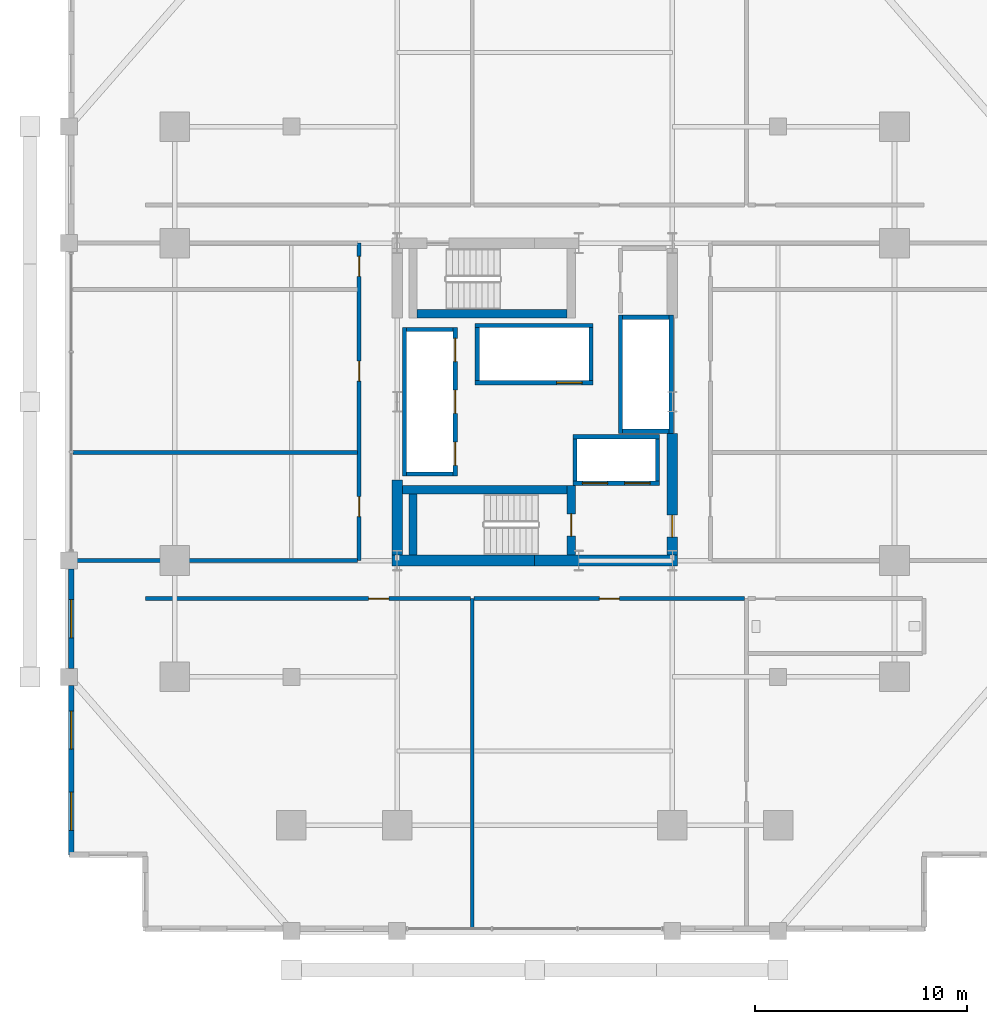
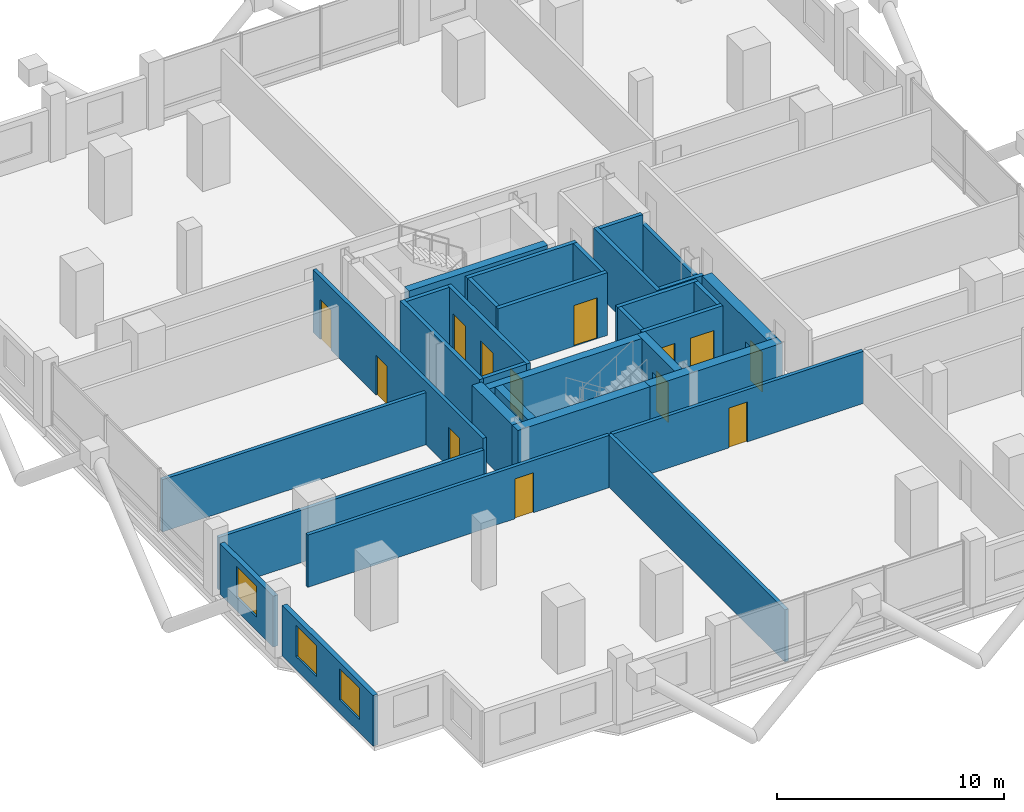
# One storey, part 17 of 21: 32 walls, 13 doors, 3 windows, 16 openings.
"""IFC4 building model written with IfcOpenShell, lengths in metres."""

from ifc_helpers import new_model, si_unit, direction, frame, frame_2d, origin, place, context, subcontext, project, spatial, rectangle, extrude, material, layer, layer_set, type_object, element, fill, save


model = new_model("IFC4")

# Units and contexts
model_context = context("Model", 3, precision=1e-05, world=origin(), true_north=direction((0.0, 1.0)))
body_context = subcontext(model_context, "Body", "Model", "MODEL_VIEW")
ifc_project = project(units=[si_unit("LENGTHUNIT", "METRE"), si_unit("AREAUNIT", "SQUARE_METRE"), si_unit("VOLUMEUNIT", "CUBIC_METRE"), si_unit("PLANEANGLEUNIT", "RADIAN"), si_unit("MASSUNIT", "GRAM", prefix="KILO")], contexts=[model_context])

# Site, building, storey
site_placement = place(None, origin())
site = spatial("IfcSite", under=ifc_project, at=site_placement, CompositionType="ELEMENT")
building_placement = place(site_placement, origin())
building = spatial("IfcBuilding", under=site, at=building_placement, Name="Barlavira Tower and Art Museum", CompositionType="ELEMENT")
storey_placement = place(building_placement, frame((0.0, 0.0, 79.199951171875)))
storey = spatial("IfcBuildingStorey", under=building, at=storey_placement, Name="L19", CompositionType="ELEMENT", Elevation=79.199951171875)

# Walls
ifc_material_1 = material(Name="Concrete C60", Category="concrete")
ifc_layer_1 = layer(ifc_material_1, 0.5, Name="Concrete C60")
ifc_layer_set_1 = layer_set([ifc_layer_1], Name="Concrete C60")
wall_type_1 = type_object("IfcWallType", Name="Core Structural Shear Wall 500 Concrete C60", PredefinedType="SHEAR", material=ifc_layer_set_1)
for number, where, z_axis, x_axis, name in (
    (1, (-6.75, -7.5, 0.0), (0.0, 0.0, 1.0), (1.0, 0.0, 0.0), "L19 Core Shear Wall CS-SW"),
    (2, (0.0, -7.5, 0.0), (0.0, 0.0, 1.0), (1.0, 0.0, 0.0), "L19 Core Shear Wall CS-SE"),
):
    element("IfcWall", number, at=place(storey_placement, frame(where, z_axis=z_axis, x_axis=x_axis)), inside=storey, type_object=wall_type_1, Name=name, PredefinedType="SHEAR", context=body_context, shape_type="SweptSolid", body=[
        extrude(rectangle(XDim=6.75, YDim=0.5, at=frame_2d((3.375, 0.0))), origin(), (0.0, 0.0, 1.0), 3.380126953125),
    ])
wall_1_placement = place(storey_placement, frame((-6.5, -7.25, 0.0), z_axis=(0.0, 0.0, 1.0), x_axis=(0.0, 1.0, 0.0)))
element("IfcWall", 3, at=wall_1_placement, inside=storey, type_object=wall_type_1, Name="L19 Core Shear Wall CS-W1", PredefinedType="SHEAR", context=body_context, shape_type="SweptSolid", body=[
    extrude(rectangle(XDim=3.550048828125, YDim=0.5, at=frame_2d((1.77490234375, 0.0))), origin(), (0.0, 0.0, 1.0), 3.380126953125),
])

# Wall, opening, door
wall_2_placement = place(storey_placement, frame((6.5, -7.25, 0.0), z_axis=(0.0, 0.0, 1.0), x_axis=(0.0, 1.0, 0.0)))
wall_2 = element("IfcWall", 4, at=wall_2_placement, inside=storey, type_object=wall_type_1, Name="L19 Core Shear Wall CS-E1", PredefinedType="SHEAR", context=body_context, shape_type="SweptSolid", body=[
    extrude(rectangle(XDim=5.75, YDim=0.5, at=frame_2d((2.875, 0.0))), origin(), (0.0, 0.0, 1.0), 3.380126953125),
])
opening_1_placement = place(wall_2_placement, frame((0.85009765625, 0.0, 0.0)))
opening_1 = element("IfcOpeningElement", 5, at=opening_1_placement, cuts=wall_2, Name="Opening FD-90", PredefinedType="OPENING", context=body_context, shape_type="SweptSolid", body=[
    extrude(rectangle(XDim=1.050048828125, YDim=2.14990234375, at=frame_2d((0.52490234375, 1.074951171875))), frame((0.0, 0.260009765625, 0.0), z_axis=(0.0, -1.0, 0.0), x_axis=(1.0, 0.0, 0.0)), (0.0, 0.0, 1.0), 0.52001953125),
])
ifc_material_2 = material(Name="Brushed stainless steel", Category="steel")
door_type_1 = type_object("IfcDoorType", Name="Stair and Refuge Fire Door 1050x2150 FD90S", OperationType="NOTDEFINED", PredefinedType="DOOR", material=ifc_material_2)
door_1_placement = place(opening_1_placement, origin())
door_1 = element("IfcDoor", 6, at=door_1_placement, inside=storey, type_object=door_type_1, Name="L19 Firefighting Lobby Entry Fire Door", OperationType="SINGLE_SWING_LEFT", OverallHeight=2.14990234375, OverallWidth=1.050048828125, PredefinedType="DOOR", context=body_context, shape_type="SweptSolid", body=[
    extrude(rectangle(XDim=1.050048828125, YDim=2.14990234375, at=frame_2d((0.52490234375, 1.074951171875))), frame((0.0, 0.02490234375, 0.0), z_axis=(0.0, -1.0, 0.0), x_axis=(1.0, 0.0, 0.0)), (0.0, 0.0, 1.0), 0.050048828125),
])
fill(opening_1, door_1)

# Wall, openings, doors
ifc_material_3 = material(Name="Autoclaved aerated concrete masonry", Category="masonry")
ifc_layer_2 = layer(ifc_material_3, 0.199951171875, Name="Autoclaved aerated concrete masonry")
ifc_layer_set_2 = layer_set([ifc_layer_2], Name="Autoclaved aerated concrete masonry")
wall_type_2 = type_object("IfcWallType", Name="Fire Compartment and Shaft Wall 200", PredefinedType="SOLIDWALL", material=ifc_layer_set_2)
wall_3_placement = place(storey_placement, frame((-3.75, -3.510009765625, 0.0), z_axis=(0.0, 0.0, 1.0), x_axis=(0.0, 1.0, 0.0)))
wall_3 = element("IfcWall", 7, at=wall_3_placement, inside=storey, type_object=wall_type_2, Name="L19 Low-Rise Lift Front Shaft Wall", PredefinedType="SOLIDWALL", context=body_context, shape_type="SweptSolid", body=[
    extrude(rectangle(XDim=7.02001953125, YDim=0.199951171875, at=frame_2d((3.510009765625, 0.0))), origin(), (0.0, 0.0, 1.0), 3.380126953125),
])
opening_2_placement = place(wall_3_placement, frame((0.510009765625, 0.0, 0.0)))
opening_2 = element("IfcOpeningElement", 8, at=opening_2_placement, cuts=wall_3, Name="Opening LD-P", PredefinedType="OPENING", context=body_context, shape_type="SweptSolid", body=[
    extrude(rectangle(XDim=1.10009765625, YDim=2.14990234375, at=frame_2d((0.550048828125, 1.074951171875))), frame((0.0, 0.10986328125, 0.0), z_axis=(0.0, -1.0, 0.0), x_axis=(1.0, 0.0, 0.0)), (0.0, 0.0, 1.0), 0.219970703125),
])
opening_3_placement = place(wall_3_placement, frame((2.9599609375, 0.0, 0.0)))
opening_3 = element("IfcOpeningElement", 9, at=opening_3_placement, cuts=wall_3, Name="Opening LD-P", PredefinedType="OPENING", context=body_context, shape_type="SweptSolid", body=[
    extrude(rectangle(XDim=1.10009765625, YDim=2.14990234375, at=frame_2d((0.550048828125, 1.074951171875))), frame((0.0, 0.10986328125, 0.0), z_axis=(0.0, -1.0, 0.0), x_axis=(1.0, 0.0, 0.0)), (0.0, 0.0, 1.0), 0.219970703125),
])
opening_4_placement = place(wall_3_placement, frame((5.409912109375, 0.0, 0.0)))
opening_4 = element("IfcOpeningElement", 10, at=opening_4_placement, cuts=wall_3, Name="Opening LD-P", PredefinedType="OPENING", context=body_context, shape_type="SweptSolid", body=[
    extrude(rectangle(XDim=1.10009765625, YDim=2.14990234375, at=frame_2d((0.550048828125, 1.074951171875))), frame((0.0, 0.10986328125, 0.0), z_axis=(0.0, -1.0, 0.0), x_axis=(1.0, 0.0, 0.0)), (0.0, 0.0, 1.0), 0.219970703125),
])
door_type_2 = type_object("IfcDoorType", Name="Passenger Lift Sliding Landing Door 1100x2150 FD60", OperationType="NOTDEFINED", PredefinedType="DOOR", material=ifc_material_2)
door_2_placement = place(opening_2_placement, origin())
door_2 = element("IfcDoor", 11, at=door_2_placement, inside=storey, type_object=door_type_2, Name="L19 Lift PL1 Sliding Landing Door", OperationType="DOUBLE_DOOR_SLIDING", OverallHeight=2.14990234375, OverallWidth=1.10009765625, PredefinedType="DOOR", context=body_context, shape_type="SweptSolid", body=[
    extrude(rectangle(XDim=1.10009765625, YDim=2.14990234375, at=frame_2d((0.550048828125, 1.074951171875))), frame((0.0, 0.02490234375, 0.0), z_axis=(0.0, -1.0, 0.0), x_axis=(1.0, 0.0, 0.0)), (0.0, 0.0, 1.0), 0.050048828125),
])
fill(opening_2, door_2)
door_3_placement = place(opening_3_placement, origin())
door_3 = element("IfcDoor", 12, at=door_3_placement, inside=storey, type_object=door_type_2, Name="L19 Lift PL2 Sliding Landing Door", OperationType="DOUBLE_DOOR_SLIDING", OverallHeight=2.14990234375, OverallWidth=1.10009765625, PredefinedType="DOOR", context=body_context, shape_type="SweptSolid", body=[
    extrude(rectangle(XDim=1.10009765625, YDim=2.14990234375, at=frame_2d((0.550048828125, 1.074951171875))), frame((0.0, 0.02490234375, 0.0), z_axis=(0.0, -1.0, 0.0), x_axis=(1.0, 0.0, 0.0)), (0.0, 0.0, 1.0), 0.050048828125),
])
fill(opening_3, door_3)
door_4_placement = place(opening_4_placement, origin())
door_4 = element("IfcDoor", 13, at=door_4_placement, inside=storey, type_object=door_type_2, Name="L19 Lift PL3 Sliding Landing Door", OperationType="DOUBLE_DOOR_SLIDING", OverallHeight=2.14990234375, OverallWidth=1.10009765625, PredefinedType="DOOR", context=body_context, shape_type="SweptSolid", body=[
    extrude(rectangle(XDim=1.10009765625, YDim=2.14990234375, at=frame_2d((0.550048828125, 1.074951171875))), frame((0.0, 0.02490234375, 0.0), z_axis=(0.0, -1.0, 0.0), x_axis=(1.0, 0.0, 0.0)), (0.0, 0.0, 1.0), 0.050048828125),
])
fill(opening_4, door_4)

# Walls
wall_4_placement = place(storey_placement, frame((-6.14990234375, -3.510009765625, 0.0), z_axis=(0.0, 0.0, 1.0), x_axis=(0.0, 1.0, 0.0)))
element("IfcWall", 14, at=wall_4_placement, inside=storey, type_object=wall_type_2, Name="L19 Low-Rise Lift Back Shaft Wall", PredefinedType="SOLIDWALL", context=body_context, shape_type="SweptSolid", body=[
    extrude(rectangle(XDim=7.02001953125, YDim=0.199951171875, at=frame_2d((3.510009765625, 0.0))), origin(), (0.0, 0.0, 1.0), 3.380126953125),
])
for number, where, z_axis, x_axis, name in (
    (15, (-6.050048828125, -3.409912109375, 0.0), (0.0, 0.0, 1.0), (1.0, 0.0, 0.0), "L19 Low-Rise Lift South Shaft Wall"),
    (16, (-6.050048828125, 3.409912109375, 0.0), (0.0, 0.0, 1.0), (1.0, 0.0, 0.0), "L19 Low-Rise Lift North Shaft Wall"),
):
    element("IfcWall", number, at=place(storey_placement, frame(where, z_axis=z_axis, x_axis=x_axis)), inside=storey, type_object=wall_type_2, Name=name, PredefinedType="SOLIDWALL", context=body_context, shape_type="SweptSolid", body=[
        extrude(rectangle(XDim=2.199951171875, YDim=0.199951171875, at=frame_2d((1.10009765625, 0.0))), origin(), (0.0, 0.0, 1.0), 3.380126953125),
    ])
wall_5_placement = place(storey_placement, frame((4.050048828125, -1.489990234375, 0.0), z_axis=(0.0, 0.0, 1.0), x_axis=(0.0, 1.0, 0.0)))
element("IfcWall", 17, at=wall_5_placement, inside=storey, type_object=wall_type_2, Name="L19 Mid-Rise Lift Front Shaft Wall", PredefinedType="SOLIDWALL", context=body_context, shape_type="SweptSolid", body=[
    extrude(rectangle(XDim=5.580078125, YDim=0.199951171875, at=frame_2d((2.7900390625, 0.0))), origin(), (0.0, 0.0, 1.0), 3.380126953125),
])
wall_6_placement = place(storey_placement, frame((6.449951171875, -1.489990234375, 0.0), z_axis=(0.0, 0.0, 1.0), x_axis=(0.0, 1.0, 0.0)))
element("IfcWall", 18, at=wall_6_placement, inside=storey, type_object=wall_type_2, Name="L19 Mid-Rise Lift Back Shaft Wall", PredefinedType="SOLIDWALL", context=body_context, shape_type="SweptSolid", body=[
    extrude(rectangle(XDim=5.580078125, YDim=0.199951171875, at=frame_2d((2.7900390625, 0.0))), origin(), (0.0, 0.0, 1.0), 2.816162109375),
])
for number, where, z_axis, x_axis, name in (
    (19, (4.14990234375, -1.389892578125, 0.0), (0.0, 0.0, 1.0), (1.0, 0.0, 0.0), "L19 Mid-Rise Lift South Shaft Wall"),
    (20, (4.14990234375, 3.989990234375, 0.0), (0.0, 0.0, 1.0), (1.0, 0.0, 0.0), "L19 Mid-Rise Lift North Shaft Wall"),
):
    element("IfcWall", number, at=place(storey_placement, frame(where, z_axis=z_axis, x_axis=x_axis)), inside=storey, type_object=wall_type_2, Name=name, PredefinedType="SOLIDWALL", context=body_context, shape_type="SweptSolid", body=[
        extrude(rectangle(XDim=2.2001953125, YDim=0.199951171875, at=frame_2d((1.10009765625, 0.0))), origin(), (0.0, 0.0, 1.0), 3.380126953125),
    ])

# Wall, opening, door
wall_7_placement = place(storey_placement, frame((-2.820068359375, 0.89990234375, 0.0), z_axis=(0.0, 0.0, 1.0), x_axis=(1.0, 0.0, 0.0)))
wall_7 = element("IfcWall", 21, at=wall_7_placement, inside=storey, type_object=wall_type_2, Name="L19 High-Rise & Service Lift Front Wall", PredefinedType="SOLIDWALL", context=body_context, shape_type="SweptSolid", body=[
    extrude(rectangle(XDim=5.580078125, YDim=0.199951171875, at=frame_2d((2.7900390625, 0.0))), origin(), (0.0, 0.0, 1.0), 3.380126953125),
])
opening_5_placement = place(wall_7_placement, frame((3.860107421875, 0.0, 0.0)))
opening_5 = element("IfcOpeningElement", 22, at=opening_5_placement, cuts=wall_7, Name="Opening LD-F", PredefinedType="OPENING", context=body_context, shape_type="SweptSolid", body=[
    extrude(rectangle(XDim=1.199951171875, YDim=2.199951171875, at=frame_2d((0.60009765625, 1.10009765625))), frame((0.0, 0.10986328125, 0.0), z_axis=(0.0, -1.0, 0.0), x_axis=(1.0, 0.0, 0.0)), (0.0, 0.0, 1.0), 0.219970703125),
])
door_type_3 = type_object("IfcDoorType", Name="Firefighting and Service Lift Sliding Door 1200x2200 FD120", OperationType="NOTDEFINED", PredefinedType="DOOR", material=ifc_material_2)
door_5_placement = place(opening_5_placement, origin())
door_5 = element("IfcDoor", 23, at=door_5_placement, inside=storey, type_object=door_type_3, Name="L19 Stretcher Service Lift SL1 Sliding Door", OperationType="DOUBLE_DOOR_SLIDING", OverallHeight=2.199951171875, OverallWidth=1.199951171875, PredefinedType="DOOR", context=body_context, shape_type="SweptSolid", body=[
    extrude(rectangle(XDim=1.199951171875, YDim=2.199951171875, at=frame_2d((0.60009765625, 1.10009765625))), frame((0.0, 0.02490234375, 0.0), z_axis=(0.0, -1.0, 0.0), x_axis=(1.0, 0.0, 0.0)), (0.0, 0.0, 1.0), 0.050048828125),
])
fill(opening_5, door_5)

# Walls
wall_8_placement = place(storey_placement, frame((-2.820068359375, 3.60009765625, 0.0), z_axis=(0.0, 0.0, 1.0), x_axis=(1.0, 0.0, 0.0)))
element("IfcWall", 24, at=wall_8_placement, inside=storey, type_object=wall_type_2, Name="L19 High-Rise & Service Lift Back Wall", PredefinedType="SOLIDWALL", context=body_context, shape_type="SweptSolid", body=[
    extrude(rectangle(XDim=5.580078125, YDim=0.199951171875, at=frame_2d((2.7900390625, 0.0))), origin(), (0.0, 0.0, 1.0), 3.380126953125),
])
for number, where, z_axis, x_axis, name in (
    (25, (-2.719970703125, 1.0, 0.0), (0.0, 0.0, 1.0), (0.0, 1.0, 0.0), "L19 High-Rise & Service Lift West Wall"),
    (26, (2.659912109375, 1.0, 0.0), (0.0, 0.0, 1.0), (0.0, 1.0, 0.0), "L19 High-Rise & Service Lift East Wall"),
):
    element("IfcWall", number, at=place(storey_placement, frame(where, z_axis=z_axis, x_axis=x_axis)), inside=storey, type_object=wall_type_2, Name=name, PredefinedType="SOLIDWALL", context=body_context, shape_type="SweptSolid", body=[
        extrude(rectangle(XDim=2.5, YDim=0.199951171875, at=frame_2d((1.25, 0.0))), origin(), (0.0, 0.0, 1.0), 3.380126953125),
    ])

# Wall, openings, doors
wall_9_placement = place(storey_placement, frame((1.800048828125, -3.85009765625, 0.0), z_axis=(0.0, 0.0, 1.0), x_axis=(1.0, 0.0, 0.0)))
wall_9 = element("IfcWall", 27, at=wall_9_placement, inside=storey, type_object=wall_type_2, Name="L19 Firefighting Lift Front Shaft Wall", PredefinedType="SOLIDWALL", context=body_context, shape_type="SweptSolid", body=[
    extrude(rectangle(XDim=4.099853515625, YDim=0.199951171875, at=frame_2d((2.0498046875, 0.0))), origin(), (0.0, 0.0, 1.0), 3.380126953125),
])
opening_6_placement = place(wall_9_placement, frame((0.449951171875, 0.0, 0.0)))
opening_6 = element("IfcOpeningElement", 28, at=opening_6_placement, cuts=wall_9, Name="Opening LD-F", PredefinedType="OPENING", context=body_context, shape_type="SweptSolid", body=[
    extrude(rectangle(XDim=1.199951171875, YDim=2.199951171875, at=frame_2d((0.60009765625, 1.10009765625))), frame((0.0, 0.10986328125, 0.0), z_axis=(0.0, -1.0, 0.0), x_axis=(1.0, 0.0, 0.0)), (0.0, 0.0, 1.0), 0.219970703125),
])
opening_7_placement = place(wall_9_placement, frame((2.449951171875, 0.0, 0.0)))
opening_7 = element("IfcOpeningElement", 29, at=opening_7_placement, cuts=wall_9, Name="Opening LD-F", PredefinedType="OPENING", context=body_context, shape_type="SweptSolid", body=[
    extrude(rectangle(XDim=1.199951171875, YDim=2.199951171875, at=frame_2d((0.60009765625, 1.10009765625))), frame((0.0, 0.10986328125, 0.0), z_axis=(0.0, -1.0, 0.0), x_axis=(1.0, 0.0, 0.0)), (0.0, 0.0, 1.0), 0.219970703125),
])
door_6_placement = place(opening_6_placement, origin())
door_6 = element("IfcDoor", 30, at=door_6_placement, inside=storey, type_object=door_type_3, Name="L19 Firefighting Lift FF1 Sliding Door", OperationType="DOUBLE_DOOR_SLIDING", OverallHeight=2.199951171875, OverallWidth=1.199951171875, PredefinedType="DOOR", context=body_context, shape_type="SweptSolid", body=[
    extrude(rectangle(XDim=1.199951171875, YDim=2.199951171875, at=frame_2d((0.60009765625, 1.10009765625))), frame((0.0, 0.02490234375, 0.0), z_axis=(0.0, -1.0, 0.0), x_axis=(1.0, 0.0, 0.0)), (0.0, 0.0, 1.0), 0.050048828125),
])
fill(opening_6, door_6)
door_7_placement = place(opening_7_placement, origin())
door_7 = element("IfcDoor", 31, at=door_7_placement, inside=storey, type_object=door_type_3, Name="L19 Firefighting Lift FF2 Sliding Door", OperationType="DOUBLE_DOOR_SLIDING", OverallHeight=2.199951171875, OverallWidth=1.199951171875, PredefinedType="DOOR", context=body_context, shape_type="SweptSolid", body=[
    extrude(rectangle(XDim=1.199951171875, YDim=2.199951171875, at=frame_2d((0.60009765625, 1.10009765625))), frame((0.0, 0.02490234375, 0.0), z_axis=(0.0, -1.0, 0.0), x_axis=(1.0, 0.0, 0.0)), (0.0, 0.0, 1.0), 0.050048828125),
])
fill(opening_7, door_7)

# Walls
wall_10_placement = place(storey_placement, frame((1.800048828125, -1.64990234375, 0.0), z_axis=(0.0, 0.0, 1.0), x_axis=(1.0, 0.0, 0.0)))
element("IfcWall", 32, at=wall_10_placement, inside=storey, type_object=wall_type_2, Name="L19 Firefighting Lift Back Shaft Wall", PredefinedType="SOLIDWALL", context=body_context, shape_type="SweptSolid", body=[
    extrude(rectangle(XDim=4.099853515625, YDim=0.199951171875, at=frame_2d((2.0498046875, 0.0))), origin(), (0.0, 0.0, 1.0), 3.380126953125),
])
for number, where, z_axis, x_axis, name in (
    (33, (1.89990234375, -3.75, 0.0), (0.0, 0.0, 1.0), (0.0, 1.0, 0.0), "L19 Firefighting Lift West Shaft Wall"),
    (34, (5.800048828125, -3.75, 0.0), (0.0, 0.0, 1.0), (0.0, 1.0, 0.0), "L19 Firefighting Lift East Shaft Wall"),
):
    element("IfcWall", number, at=place(storey_placement, frame(where, z_axis=z_axis, x_axis=x_axis)), inside=storey, type_object=wall_type_2, Name=name, PredefinedType="SOLIDWALL", context=body_context, shape_type="SweptSolid", body=[
        extrude(rectangle(XDim=2.0, YDim=0.199951171875, at=frame_2d((1.0, 0.0))), origin(), (0.0, 0.0, 1.0), 3.380126953125),
    ])

# Wall, openings, doors
ifc_material_4 = material(Name="Gypsum acoustic stud partition", Category="gypsum")
ifc_layer_3 = layer(ifc_material_4, 0.179931640625, Name="Gypsum acoustic stud partition")
ifc_layer_set_3 = layer_set([ifc_layer_3], Name="Gypsum acoustic stud partition")
wall_type_3 = type_object("IfcWallType", Name="Inter-Tenancy Party Partition Wall 180", PredefinedType="PARTITIONING", material=ifc_layer_set_3)
wall_11_placement = place(storey_placement, frame((-8.300048828125, -7.5, 0.0), z_axis=(0.0, 0.0, 1.0), x_axis=(0.0, 1.0, 0.0)))
wall_11 = element("IfcWall", 35, at=wall_11_placement, inside=storey, type_object=wall_type_3, Name="L19 Partition Wall 1", PredefinedType="PARTITIONING", context=body_context, shape_type="SweptSolid", body=[
    extrude(rectangle(XDim=15.0, YDim=0.179931640625, at=frame_2d((7.5, 0.0))), origin(), (0.0, 0.0, 1.0), 3.380126953125),
])
opening_8_placement = place(wall_11_placement, frame((2.074951171875, 0.0, 0.0)))
opening_8 = element("IfcOpeningElement", 36, at=opening_8_placement, cuts=wall_11, Name="Opening FD-60", PredefinedType="OPENING", context=body_context, shape_type="SweptSolid", body=[
    extrude(rectangle(XDim=0.949951171875, YDim=2.14990234375, at=frame_2d((0.47509765625, 1.074951171875))), frame((0.0, 0.10009765625, 0.0), z_axis=(0.0, -1.0, 0.0), x_axis=(1.0, 0.0, 0.0)), (0.0, 0.0, 1.0), 0.199951171875),
])
opening_9_placement = place(wall_11_placement, frame((8.47509765625, 0.0, 0.0)))
opening_9 = element("IfcOpeningElement", 37, at=opening_9_placement, cuts=wall_11, Name="Opening FD-60", PredefinedType="OPENING", context=body_context, shape_type="SweptSolid", body=[
    extrude(rectangle(XDim=0.949951171875, YDim=2.14990234375, at=frame_2d((0.47509765625, 1.074951171875))), frame((0.0, 0.10009765625, 0.0), z_axis=(0.0, -1.0, 0.0), x_axis=(1.0, 0.0, 0.0)), (0.0, 0.0, 1.0), 0.199951171875),
])
opening_10_placement = place(wall_11_placement, frame((13.425048828125, 0.0, 0.0)))
opening_10 = element("IfcOpeningElement", 38, at=opening_10_placement, cuts=wall_11, Name="Opening FD-60", PredefinedType="OPENING", context=body_context, shape_type="SweptSolid", body=[
    extrude(rectangle(XDim=0.949951171875, YDim=2.14990234375, at=frame_2d((0.47509765625, 1.074951171875))), frame((0.0, 0.10009765625, 0.0), z_axis=(0.0, -1.0, 0.0), x_axis=(1.0, 0.0, 0.0)), (0.0, 0.0, 1.0), 0.199951171875),
])
door_type_4 = type_object("IfcDoorType", Name="Apartment Entrance and Riser Fire Door 950x2150 FD60S", OperationType="NOTDEFINED", PredefinedType="DOOR", material=ifc_material_2)
door_8_placement = place(opening_8_placement, origin())
door_8 = element("IfcDoor", 39, at=door_8_placement, inside=storey, type_object=door_type_4, Name="Resident Art Collectors Salon Door", OperationType="SINGLE_SWING_RIGHT", OverallHeight=2.14990234375, OverallWidth=0.949951171875, PredefinedType="DOOR", context=body_context, shape_type="SweptSolid", body=[
    extrude(rectangle(XDim=0.949951171875, YDim=2.14990234375, at=frame_2d((0.47509765625, 1.074951171875))), frame((0.0, 0.02490234375, 0.0), z_axis=(0.0, -1.0, 0.0), x_axis=(1.0, 0.0, 0.0)), (0.0, 0.0, 1.0), 0.050048828125),
])
fill(opening_8, door_8)
door_9_placement = place(opening_9_placement, origin())
door_9 = element("IfcDoor", 40, at=door_9_placement, inside=storey, type_object=door_type_4, Name="Sculpture and Painting Workshop Door", OperationType="SINGLE_SWING_LEFT", OverallHeight=2.14990234375, OverallWidth=0.949951171875, PredefinedType="DOOR", context=body_context, shape_type="SweptSolid", body=[
    extrude(rectangle(XDim=0.949951171875, YDim=2.14990234375, at=frame_2d((0.47509765625, 1.074951171875))), frame((0.0, 0.02490234375, 0.0), z_axis=(0.0, -1.0, 0.0), x_axis=(1.0, 0.0, 0.0)), (0.0, 0.0, 1.0), 0.050048828125),
])
fill(opening_9, door_9)
door_10_placement = place(opening_10_placement, origin())
door_10 = element("IfcDoor", 41, at=door_10_placement, inside=storey, type_object=door_type_4, Name="Climate-Controlled Wine Tasting Room Door", OperationType="SINGLE_SWING_RIGHT", OverallHeight=2.14990234375, OverallWidth=0.949951171875, PredefinedType="DOOR", context=body_context, shape_type="SweptSolid", body=[
    extrude(rectangle(XDim=0.949951171875, YDim=2.14990234375, at=frame_2d((0.47509765625, 1.074951171875))), frame((0.0, 0.02490234375, 0.0), z_axis=(0.0, -1.0, 0.0), x_axis=(1.0, 0.0, 0.0)), (0.0, 0.0, 1.0), 0.050048828125),
])
fill(opening_10, door_10)

# Wall
wall_12_placement = place(storey_placement, frame((-2.949951171875, -24.89990234375, 0.0), z_axis=(0.0, 0.0, 1.0), x_axis=(0.0, 1.0, 0.0)))
element("IfcWall", 42, at=wall_12_placement, inside=storey, type_object=wall_type_3, Name="L19 Partition Wall 2", PredefinedType="PARTITIONING", context=body_context, shape_type="SweptSolid", body=[
    extrude(rectangle(XDim=15.599853515625, YDim=0.179931640625, at=frame_2d((7.7998046875, 0.0))), origin(), (0.0, 0.0, 1.0), 2.816162109375),
])

# Wall, opening, door
wall_13_placement = place(storey_placement, frame((-18.39990234375, -9.300048828125, 0.0), z_axis=(0.0, 0.0, 1.0), x_axis=(1.0, 0.0, 0.0)))
wall_13 = element("IfcWall", 43, at=wall_13_placement, inside=storey, type_object=wall_type_3, Name="L19 Partition Wall 10", PredefinedType="PARTITIONING", context=body_context, shape_type="SweptSolid", body=[
    extrude(rectangle(XDim=15.369873046875, YDim=0.179931640625, at=frame_2d((7.68505859375, 0.0))), origin(), (0.0, 0.0, 1.0), 2.816162109375),
])
opening_11_placement = place(wall_13_placement, frame((10.554931640625, 0.0, 0.0)))
opening_11 = element("IfcOpeningElement", 44, at=opening_11_placement, cuts=wall_13, Name="Opening FD-60", PredefinedType="OPENING", context=body_context, shape_type="SweptSolid", body=[
    extrude(rectangle(XDim=0.949951171875, YDim=2.14990234375, at=frame_2d((0.47509765625, 1.074951171875))), frame((0.0, 0.10009765625, 0.0), z_axis=(0.0, -1.0, 0.0), x_axis=(1.0, 0.0, 0.0)), (0.0, 0.0, 1.0), 0.199951171875),
])
door_11_placement = place(opening_11_placement, origin())
door_11 = element("IfcDoor", 45, at=door_11_placement, inside=storey, type_object=door_type_4, Name="Resident Ocean-View Fitness Studio Door", OperationType="SINGLE_SWING_LEFT", OverallHeight=2.14990234375, OverallWidth=0.949951171875, PredefinedType="DOOR", context=body_context, shape_type="SweptSolid", body=[
    extrude(rectangle(XDim=0.949951171875, YDim=2.14990234375, at=frame_2d((0.47509765625, 1.074951171875))), frame((0.0, 0.02490234375, 0.0), z_axis=(0.0, -1.0, 0.0), x_axis=(1.0, 0.0, 0.0)), (0.0, 0.0, 1.0), 0.050048828125),
])
fill(opening_11, door_11)

wall_14_placement = place(storey_placement, frame((-2.8701171875, -9.300048828125, 0.0), z_axis=(0.0, 0.0, 1.0), x_axis=(1.0, 0.0, 0.0)))
wall_14 = element("IfcWall", 46, at=wall_14_placement, inside=storey, type_object=wall_type_3, Name="L19 Partition Wall 11", PredefinedType="PARTITIONING", context=body_context, shape_type="SweptSolid", body=[
    extrude(rectangle(XDim=12.7900390625, YDim=0.179931640625, at=frame_2d((6.39501953125, 0.0))), origin(), (0.0, 0.0, 1.0), 2.816162109375),
])
opening_12_placement = place(wall_14_placement, frame((5.925048828125, 0.0, 0.0)))
opening_12 = element("IfcOpeningElement", 47, at=opening_12_placement, cuts=wall_14, Name="Opening FD-60", PredefinedType="OPENING", context=body_context, shape_type="SweptSolid", body=[
    extrude(rectangle(XDim=0.949951171875, YDim=2.14990234375, at=frame_2d((0.47509765625, 1.074951171875))), frame((0.0, 0.10009765625, 0.0), z_axis=(0.0, -1.0, 0.0), x_axis=(1.0, 0.0, 0.0)), (0.0, 0.0, 1.0), 0.199951171875),
])
door_12_placement = place(opening_12_placement, origin())
door_12 = element("IfcDoor", 48, at=door_12_placement, inside=storey, type_object=door_type_4, Name="Coastal Hydrotherapy and Yoga Lounge Door", OperationType="SINGLE_SWING_RIGHT", OverallHeight=2.14990234375, OverallWidth=0.949951171875, PredefinedType="DOOR", context=body_context, shape_type="SweptSolid", body=[
    extrude(rectangle(XDim=0.949951171875, YDim=2.14990234375, at=frame_2d((0.47509765625, 1.074951171875))), frame((0.0, 0.02490234375, 0.0), z_axis=(0.0, -1.0, 0.0), x_axis=(1.0, 0.0, 0.0)), (0.0, 0.0, 1.0), 0.050048828125),
])
fill(opening_12, door_12)

# Walls
wall_15_placement = place(storey_placement, frame((-21.89990234375, -7.5, 0.0), z_axis=(0.0, 0.0, 1.0), x_axis=(1.0, 0.0, 0.0)))
element("IfcWall", 49, at=wall_15_placement, inside=storey, type_object=wall_type_3, Name="L19 Partition Wall 13", PredefinedType="PARTITIONING", context=body_context, shape_type="SweptSolid", body=[
    extrude(rectangle(XDim=13.52001953125, YDim=0.179931640625, at=frame_2d((6.760009765625, 0.0))), origin(), (0.0, 0.0, 1.0), 2.816162109375),
])
wall_16_placement = place(storey_placement, frame((-21.820068359375, -2.39990234375, 0.0), z_axis=(0.0, 0.0, 1.0), x_axis=(1.0, 0.0, 0.0)))
element("IfcWall", 50, at=wall_16_placement, inside=storey, type_object=wall_type_3, Name="L19 Partition Wall 15", PredefinedType="PARTITIONING", context=body_context, shape_type="SweptSolid", body=[
    extrude(rectangle(XDim=13.440185546875, YDim=0.179931640625, at=frame_2d((6.72021484375, 0.0))), origin(), (0.0, 0.0, 1.0), 2.816162109375),
])

# Wall, opening, window
ifc_material_5 = material(Name="Precast concrete C40", Category="concrete")
ifc_layer_4 = layer(ifc_material_5, 0.25, Name="Precast concrete C40")
ifc_layer_set_4 = layer_set([ifc_layer_4], Name="Precast concrete C40")
wall_type_4 = type_object("IfcWallType", Name="Notched Corner Spandrel Wall 250 Precast Concrete C40", PredefinedType="SOLIDWALL", material=ifc_layer_set_4)
wall_17_placement = place(storey_placement, frame((-21.89990234375, -7.89501953125, 0.0), z_axis=(0.0, 0.0, 1.0), x_axis=(0.0, -1.0, 0.0)))
wall_17 = element("IfcWall", 51, at=wall_17_placement, inside=storey, type_object=wall_type_4, Name="L19 Coastal Facade Pier Wall CW1-L19-W-4", PredefinedType="SOLIDWALL", context=body_context, shape_type="SweptSolid", body=[
    extrude(rectangle(XDim=4.7099609375, YDim=0.25, at=frame_2d((2.35498046875, 0.0))), origin(), (0.0, 0.0, 1.0), 2.736083984375),
])
opening_13_placement = place(wall_17_placement, frame((1.455078125, 0.0, 0.719970703125)))
opening_13 = element("IfcOpeningElement", 52, at=opening_13_placement, cuts=wall_17, Name="Opening WN-01", PredefinedType="OPENING", context=body_context, shape_type="SweptSolid", body=[
    extrude(rectangle(XDim=1.800048828125, YDim=1.679931640625, at=frame_2d((0.89990234375, 0.83984375))), frame((0.0, 0.135009765625, 0.0), z_axis=(0.0, -1.0, 0.0), x_axis=(1.0, 0.0, 0.0)), (0.0, 0.0, 1.0), 0.27001953125),
])
ifc_material_6 = material(Name="Low-iron coastal laminated glass", Category="glass")
window_type = type_object("IfcWindowType", Name="Recessed Notch Corner Punch Window 1800x1680", PartitioningType="SINGLE_PANEL", PredefinedType="WINDOW", material=ifc_material_6)
window_1_placement = place(opening_13_placement, origin())
window_1 = element("IfcWindow", 53, at=window_1_placement, inside=storey, type_object=window_type, Name="L19 Punched Facade Window EWP-CW1-L19-W-4-1", OverallHeight=1.679931640625, OverallWidth=1.800048828125, PartitioningType="SINGLE_PANEL", PredefinedType="WINDOW", context=body_context, shape_type="SweptSolid", body=[
    extrude(rectangle(XDim=1.800048828125, YDim=1.679931640625, at=frame_2d((0.89990234375, 0.83984375))), frame((0.0, 0.030029296875, 0.0), z_axis=(0.0, -1.0, 0.0), x_axis=(1.0, 0.0, 0.0)), (0.0, 0.0, 1.0), 0.06005859375),
])
fill(opening_13, window_1)

# Wall, openings, windows
wall_18_placement = place(storey_placement, frame((-21.89990234375, -13.39501953125, 0.0), z_axis=(0.0, 0.0, 1.0), x_axis=(0.0, -1.0, 0.0)))
wall_18 = element("IfcWall", 54, at=wall_18_placement, inside=storey, type_object=wall_type_4, Name="L19 Coastal Facade Pier Wall CW1-L19-W-5", PredefinedType="SOLIDWALL", context=body_context, shape_type="SweptSolid", body=[
    extrude(rectangle(XDim=8.030029296875, YDim=0.25, at=frame_2d((4.01513671875, 0.0))), origin(), (0.0, 0.0, 1.0), 2.736083984375),
])
opening_14_placement = place(wall_18_placement, frame((1.220947265625, 0.0, 0.719970703125)))
opening_14 = element("IfcOpeningElement", 55, at=opening_14_placement, cuts=wall_18, Name="Opening WN-01", PredefinedType="OPENING", context=body_context, shape_type="SweptSolid", body=[
    extrude(rectangle(XDim=1.800048828125, YDim=1.679931640625, at=frame_2d((0.89990234375, 0.83984375))), frame((0.0, 0.135009765625, 0.0), z_axis=(0.0, -1.0, 0.0), x_axis=(1.0, 0.0, 0.0)), (0.0, 0.0, 1.0), 0.27001953125),
])
opening_15_placement = place(wall_18_placement, frame((5.053955078125, 0.0, 0.719970703125)))
opening_15 = element("IfcOpeningElement", 56, at=opening_15_placement, cuts=wall_18, Name="Opening WN-01", PredefinedType="OPENING", context=body_context, shape_type="SweptSolid", body=[
    extrude(rectangle(XDim=1.800048828125, YDim=1.679931640625, at=frame_2d((0.89990234375, 0.83984375))), frame((0.0, 0.135009765625, 0.0), z_axis=(0.0, -1.0, 0.0), x_axis=(1.0, 0.0, 0.0)), (0.0, 0.0, 1.0), 0.27001953125),
])
window_2_placement = place(opening_14_placement, origin())
window_2 = element("IfcWindow", 57, at=window_2_placement, inside=storey, type_object=window_type, Name="L19 Punched Facade Window EWP-CW1-L19-W-5-1", OverallHeight=1.679931640625, OverallWidth=1.800048828125, PartitioningType="SINGLE_PANEL", PredefinedType="WINDOW", context=body_context, shape_type="SweptSolid", body=[
    extrude(rectangle(XDim=1.800048828125, YDim=1.679931640625, at=frame_2d((0.89990234375, 0.83984375))), frame((0.0, 0.030029296875, 0.0), z_axis=(0.0, -1.0, 0.0), x_axis=(1.0, 0.0, 0.0)), (0.0, 0.0, 1.0), 0.06005859375),
])
fill(opening_14, window_2)
window_3_placement = place(opening_15_placement, origin())
window_3 = element("IfcWindow", 58, at=window_3_placement, inside=storey, type_object=window_type, Name="L19 Punched Facade Window EWP-CW1-L19-W-5-2", OverallHeight=1.679931640625, OverallWidth=1.800048828125, PartitioningType="SINGLE_PANEL", PredefinedType="WINDOW", context=body_context, shape_type="SweptSolid", body=[
    extrude(rectangle(XDim=1.800048828125, YDim=1.679931640625, at=frame_2d((0.89990234375, 0.83984375))), frame((0.0, 0.030029296875, 0.0), z_axis=(0.0, -1.0, 0.0), x_axis=(1.0, 0.0, 0.0)), (0.0, 0.0, 1.0), 0.06005859375),
])
fill(opening_15, window_3)

# Walls
ifc_material_7 = material(Name="Concrete C55", Category="concrete")
ifc_layer_5 = layer(ifc_material_7, 0.39990234375, Name="Concrete C55")
ifc_layer_set_5 = layer_set([ifc_layer_5], Name="Concrete C55")
wall_type_5 = type_object("IfcWallType", Name="Upper Core Shear Wall 400 Concrete C55", PredefinedType="SHEAR", material=ifc_layer_set_5)
wall_19_placement = place(storey_placement, frame((-5.75, -7.25, 0.0), z_axis=(0.0, 0.0, 1.0), x_axis=(0.0, 1.0, 0.0)))
element("IfcWall", 59, at=wall_19_placement, inside=storey, type_object=wall_type_5, Name="L19 ST-T1 West Half-Landing Wall", PredefinedType="SHEAR", context=body_context, shape_type="SweptSolid", body=[
    extrude(rectangle(XDim=2.89990234375, YDim=0.39990234375, at=frame_2d((1.449951171875, 0.0))), origin(), (0.0, 0.0, 1.0), 3.380126953125),
])
wall_20_placement = place(storey_placement, frame((-6.25, -4.14990234375, 0.0), z_axis=(0.0, 0.0, 1.0), x_axis=(1.0, 0.0, 0.0)))
element("IfcWall", 60, at=wall_20_placement, inside=storey, type_object=wall_type_5, Name="L19 ST-T1 North Shaft Wall", PredefinedType="SHEAR", context=body_context, shape_type="SweptSolid", body=[
    extrude(rectangle(XDim=7.780029296875, YDim=0.39990234375, at=frame_2d((3.89013671875, 0.0))), origin(), (0.0, 0.0, 1.0), 3.380126953125),
])

# Wall, opening, door
wall_21_placement = place(storey_placement, frame((1.72998046875, -7.25, 0.0), z_axis=(0.0, 0.0, 1.0), x_axis=(0.0, 1.0, 0.0)))
wall_21 = element("IfcWall", 61, at=wall_21_placement, inside=storey, type_object=wall_type_5, Name="L19 ST-T1 East Landing Wall", PredefinedType="SHEAR", context=body_context, shape_type="SweptSolid", body=[
    extrude(rectangle(XDim=3.300048828125, YDim=0.39990234375, at=frame_2d((1.64990234375, 0.0))), origin(), (0.0, 0.0, 1.0), 3.380126953125),
])
opening_16_placement = place(wall_21_placement, frame((0.89990234375, 0.0, 0.0)))
opening_16 = element("IfcOpeningElement", 62, at=opening_16_placement, cuts=wall_21, Name="Opening FD-90", PredefinedType="OPENING", context=body_context, shape_type="SweptSolid", body=[
    extrude(rectangle(XDim=1.050048828125, YDim=2.14990234375, at=frame_2d((0.52490234375, 1.074951171875))), frame((0.0, 0.2099609375, 0.0), z_axis=(0.0, -1.0, 0.0), x_axis=(1.0, 0.0, 0.0)), (0.0, 0.0, 1.0), 0.419921875),
])
door_13_placement = place(opening_16_placement, origin())
door_13 = element("IfcDoor", 63, at=door_13_placement, inside=storey, type_object=door_type_1, Name="L19 Stair ST-T1 Fire Door", OperationType="SINGLE_SWING_RIGHT", OverallHeight=2.14990234375, OverallWidth=1.050048828125, PredefinedType="DOOR", context=body_context, shape_type="SweptSolid", body=[
    extrude(rectangle(XDim=1.050048828125, YDim=2.14990234375, at=frame_2d((0.52490234375, 1.074951171875))), frame((0.0, 0.02490234375, 0.0), z_axis=(0.0, -1.0, 0.0), x_axis=(1.0, 0.0, 0.0)), (0.0, 0.0, 1.0), 0.050048828125),
])
fill(opening_16, door_13)

# Wall
wall_22_placement = place(storey_placement, frame((-5.550048828125, 4.14990234375, 0.0), z_axis=(0.0, 0.0, 1.0), x_axis=(1.0, 0.0, 0.0)))
element("IfcWall", 64, at=wall_22_placement, inside=storey, type_object=wall_type_5, Name="L19 ST-T2 South Shaft Wall", PredefinedType="SHEAR", context=body_context, shape_type="SweptSolid", body=[
    extrude(rectangle(XDim=7.080078125, YDim=0.39990234375, at=frame_2d((3.5400390625, 0.0))), origin(), (0.0, 0.0, 1.0), 3.380126953125),
])

save(model, "model.ifc")
